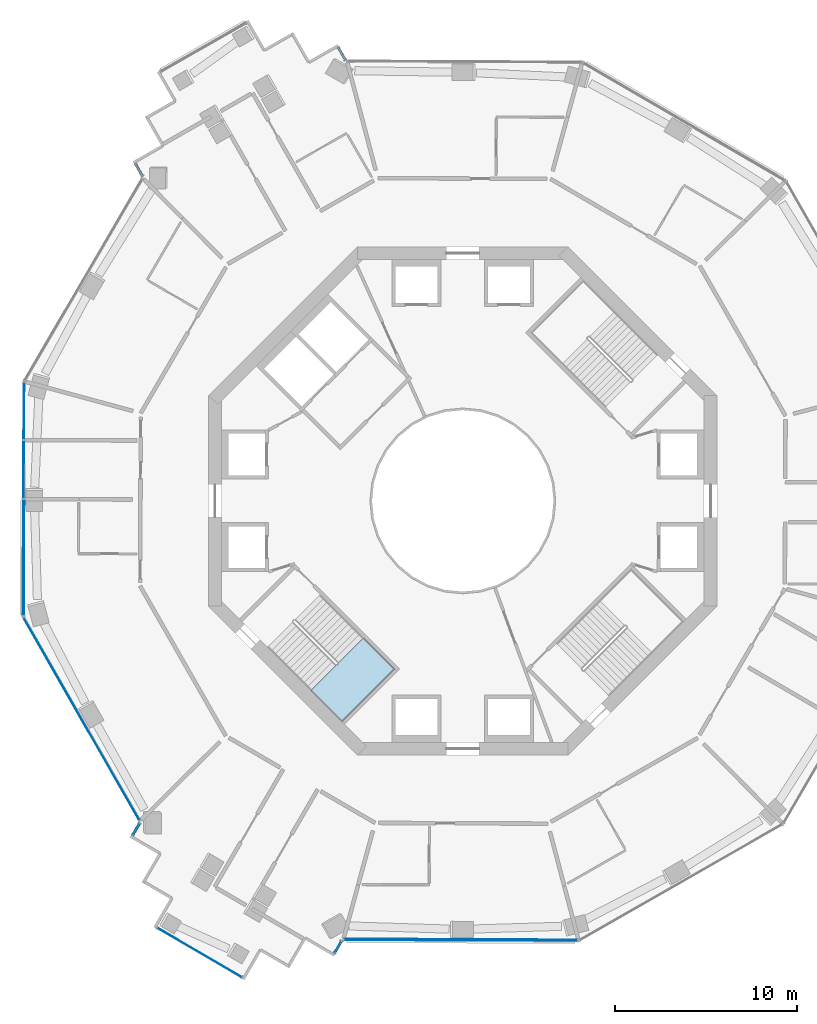
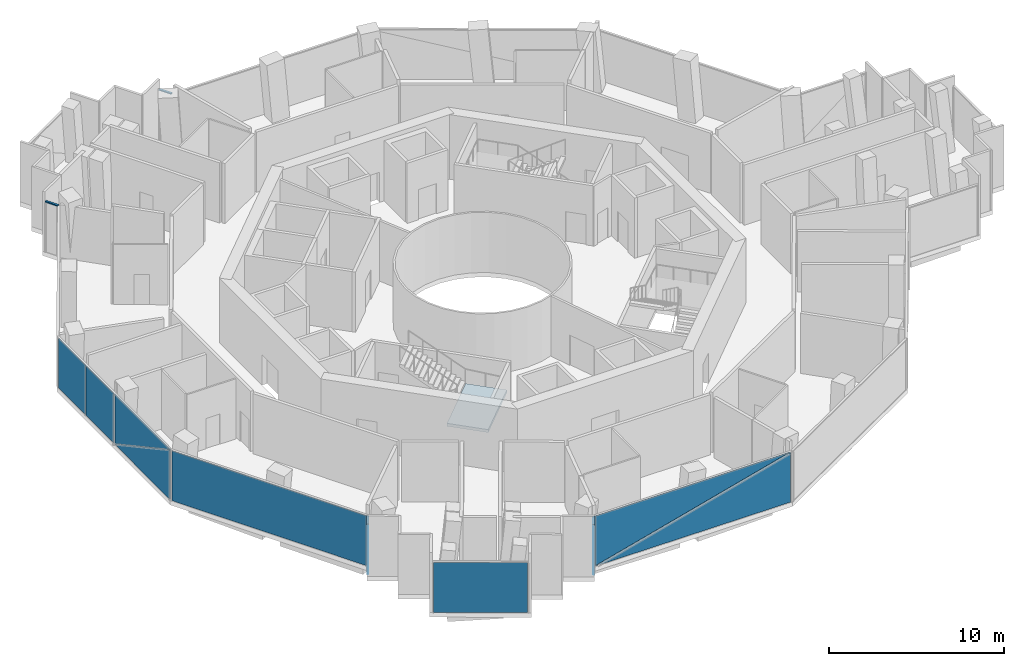
# One storey, part 7 of 16: 10 plates, 4 members, 1 slab, 9 elements without a shape of their own.
"""IFC4 building model written with IfcOpenShell, lengths in metres."""

from ifc_helpers import new_model, si_unit, direction, frame, origin, origin_2d, place, context, subcontext, project, spatial, polyline, rectangle, outline, extrude, material, layer, layer_set, material_profile, profile_set, type_object, element, aggregate, save


model = new_model("IFC4")

# Units and contexts
model_context = context("Model", 3, precision=1e-05, world=origin(), true_north=direction((0.0, 1.0)))
body_context = subcontext(model_context, "Body", "Model", "MODEL_VIEW")
ifc_project = project(units=[si_unit("LENGTHUNIT", "METRE"), si_unit("AREAUNIT", "SQUARE_METRE"), si_unit("VOLUMEUNIT", "CUBIC_METRE"), si_unit("PLANEANGLEUNIT", "RADIAN"), si_unit("MASSUNIT", "GRAM", prefix="KILO")], contexts=[model_context])

# Site, building, storey
site_placement = place(None, origin())
site = spatial("IfcSite", under=ifc_project, at=site_placement, CompositionType="ELEMENT")
building_placement = place(site_placement, origin())
building = spatial("IfcBuilding", under=site, at=building_placement, Name="Verdalira Terraces Hotel", CompositionType="ELEMENT")
storey_placement = place(building_placement, frame((0.0, 0.0, 154.0)))
storey = spatial("IfcBuildingStorey", under=building, at=storey_placement, Name="L37", CompositionType="ELEMENT", Elevation=154.0)

# Curtain wall, member
ifc_material_1 = material(Name="Clear glass", Category="glass")
ifc_layer_1 = layer(ifc_material_1, 0.179931640625)
ifc_layer_set_1 = layer_set([ifc_layer_1], Name="CW4 curtain wall")
curtain_wall_type = type_object("IfcCurtainWallType", Name="CW4 curtain wall", PredefinedType="NOTDEFINED", material=ifc_layer_set_1)
curtain_wall_1_placement = place(storey_placement, origin())
curtain_wall_1 = element("IfcCurtainWall", 1, at=curtain_wall_1_placement, inside=storey, type_object=curtain_wall_type, Name="CW4 curtain wall L37 edge 0", PredefinedType="NOTDEFINED")
ifc_material_2 = material(Name="Terracotta frame", Category="masonry")
ifc_material_profile = material_profile(ifc_material_2, rectangle(XDim=0.139893, YDim=0.070068, at=origin_2d()), Name="TR 70x140")
ifc_profile_set = profile_set([ifc_material_profile], Name="Terracotta frame")
member_type = type_object("IfcMemberType", Name="CW4 transom 70x140", PredefinedType="USERDEFINED", material=ifc_profile_set)
member_1_placement = place(storey_placement, frame((-6.458984, 24.270508, 3.504883), z_axis=(-0.496359938, 0.868116819, 0.0), x_axis=(-0.868116819, -0.496359938, 0.0)))
member_1 = element("IfcMember", 2, at=member_1_placement, type_object=member_type, Name="CW4 transom", ObjectType="TRANSOM", PredefinedType="USERDEFINED", context=body_context, shape_type="SweptSolid", body=[
    extrude(rectangle(XDim=0.139893, YDim=0.070068, at=origin_2d()), origin(), (0.0, 0.0, 1.0), 0.832764),
])
aggregate(curtain_wall_1, [member_1])

curtain_wall_2_placement = place(storey_placement, origin())
curtain_wall_2 = element("IfcCurtainWall", 3, at=curtain_wall_2_placement, inside=storey, type_object=curtain_wall_type, Name="CW4 curtain wall L37 edge 10", PredefinedType="NOTDEFINED")
member_2_placement = place(storey_placement, frame((-18.053711, 18.600342, 3.504883), z_axis=(0.496359938, -0.868116819, 0.0), x_axis=(0.868116819, 0.496359938, 0.0)))
member_2 = element("IfcMember", 4, at=member_2_placement, type_object=member_type, Name="CW4 transom", ObjectType="TRANSOM", PredefinedType="USERDEFINED", context=body_context, shape_type="SweptSolid", body=[
    extrude(rectangle(XDim=0.139893, YDim=0.070068, at=origin_2d()), origin(), (0.0, 0.0, 1.0), 0.832764),
])
aggregate(curtain_wall_2, [member_2])

curtain_wall_3_placement = place(storey_placement, origin())
curtain_wall_3 = element("IfcCurtainWall", 5, at=curtain_wall_3_placement, inside=storey, type_object=curtain_wall_type, Name="CW4 curtain wall L37 edge 14", PredefinedType="NOTDEFINED")
member_3_placement = place(storey_placement, frame((-17.789551, -17.729004, 3.504883), z_axis=(-0.503542771, -0.863970299, 0.0), x_axis=(0.863970299, -0.503542771, 0.0)))
member_3 = element("IfcMember", 6, at=member_3_placement, type_object=member_type, Name="CW4 transom", ObjectType="TRANSOM", PredefinedType="USERDEFINED", context=body_context, shape_type="SweptSolid", body=[
    extrude(rectangle(XDim=0.139893, YDim=0.070068, at=origin_2d()), origin(), (0.0, 0.0, 1.0), 0.83252),
])

curtain_wall_4_placement = place(storey_placement, origin())
curtain_wall_4 = element("IfcCurtainWall", 7, at=curtain_wall_4_placement, inside=storey, type_object=curtain_wall_type, Name="CW4 curtain wall L37 edge 24", PredefinedType="NOTDEFINED")
member_4_placement = place(storey_placement, frame((-7.081543, -24.935059, 3.504883), z_axis=(0.503634055, 0.86391709, 0.0), x_axis=(-0.86391709, 0.503634055, 0.0)))
member_4 = element("IfcMember", 8, at=member_4_placement, type_object=member_type, Name="CW4 transom", ObjectType="TRANSOM", PredefinedType="USERDEFINED", context=body_context, shape_type="SweptSolid", body=[
    extrude(rectangle(XDim=0.139893, YDim=0.070068, at=origin_2d()), origin(), (0.0, 0.0, 1.0), 0.832764),
])

# Curtain wall, plates
curtain_wall_5_placement = place(storey_placement, origin())
curtain_wall_5 = element("IfcCurtainWall", 9, at=curtain_wall_5_placement, inside=storey, type_object=curtain_wall_type, Name="CW4 curtain wall L37 edge 12", PredefinedType="NOTDEFINED")
ifc_material_3 = material(Name="Clear glass", Category="glass")
ifc_layer_2 = layer(ifc_material_3, 0.035888671875)
ifc_layer_set_2 = layer_set([ifc_layer_2], Name="CW4 glass unit 36")
plate_type = type_object("IfcPlateType", Name="CW4 glass unit 36", PredefinedType="CURTAIN_PANEL", material=ifc_layer_set_2)
plate_1_placement = place(storey_placement, frame((-24.177734, 4.939941, 0.0), z_axis=(0.0, 0.0, 1.0), x_axis=(-0.004188778, -0.999991227, 0.0)))
plate_1 = element("IfcPlate", 10, at=plate_1_placement, type_object=plate_type, Name="CW4 glass unit", PredefinedType="CURTAIN_PANEL", context=body_context, shape_type="SweptSolid", body=[
    extrude(rectangle(XDim=3.112305, YDim=0.035889, at=origin_2d()), origin(), (0.0, 0.0, 1.0), 3.469971),
])
plate_2_placement = place(storey_placement, frame((-24.191406, 1.726318, 0.0), z_axis=(0.0, 0.0, 1.0), x_axis=(-0.004188778, -0.999991227, 0.0)))
plate_2 = element("IfcPlate", 11, at=plate_2_placement, type_object=plate_type, Name="CW4 glass unit", PredefinedType="CURTAIN_PANEL", context=body_context, shape_type="SweptSolid", body=[
    extrude(rectangle(XDim=3.185059, YDim=0.035889, at=origin_2d()), origin(), (0.0, 0.0, 1.0), 3.469971),
])
plate_3_placement = place(storey_placement, frame((-24.193848, -3.112305, 1.735107), z_axis=(-0.999991227, 0.004188778, 0.0), x_axis=(-0.004188778, -0.999991227, 0.0)))
plate_3 = element("IfcPlate", 12, at=plate_3_placement, type_object=plate_type, Name="CW4 glass unit", PredefinedType="CURTAIN_PANEL", context=body_context, shape_type="SweptSolid", body=[
    extrude(outline(polyline([(-3.181152, -1.734863), (3.181152, -1.734863), (3.181152, 1.734863), (-3.181152, -1.734863)])), origin(), (0.0, 0.0, 1.0), 0.035889),
])
plate_4_placement = place(storey_placement, frame((-24.156738, -3.112549, 1.735107), z_axis=(-0.999991227, 0.004188778, 0.0), x_axis=(-0.004188778, -0.999991227, 0.0)))
plate_4 = element("IfcPlate", 13, at=plate_4_placement, type_object=plate_type, Name="CW4 glass unit", PredefinedType="CURTAIN_PANEL", context=body_context, shape_type="SweptSolid", body=[
    extrude(outline(polyline([(-3.181152, -1.734863), (3.181152, 1.734863), (-3.181152, 1.734863), (-3.181152, -1.734863)])), origin(), (0.0, 0.0, 1.0), 0.035889),
])
aggregate(curtain_wall_5, [plate_1, plate_2, plate_3, plate_4])

# Curtain wall, plate
curtain_wall_6_placement = place(storey_placement, origin())
curtain_wall_6 = element("IfcCurtainWall", 14, at=curtain_wall_6_placement, inside=storey, type_object=curtain_wall_type, Name="CW4 curtain wall L37 edge 13", PredefinedType="NOTDEFINED")
plate_5_placement = place(storey_placement, frame((-21.001221, -12.02124, 0.0), z_axis=(0.0, 0.0, 1.0), x_axis=(0.496368025, -0.868112195, 0.0)))
plate_5 = element("IfcPlate", 15, at=plate_5_placement, type_object=plate_type, Name="CW4 glass unit", PredefinedType="CURTAIN_PANEL", context=body_context, shape_type="SweptSolid", body=[
    extrude(rectangle(XDim=12.8125, YDim=0.035889, at=origin_2d()), origin(), (0.0, 0.0, 1.0), 3.469971),
])
aggregate(curtain_wall_6, [plate_5])

# Plate
plate_6_placement = place(storey_placement, frame((-17.999023, -18.088623, 0.0), z_axis=(0.0, 0.0, 1.0), x_axis=(-0.503623202, -0.863923417, 0.0)))
plate_6 = element("IfcPlate", 16, at=plate_6_placement, type_object=plate_type, Name="CW4 glass unit", PredefinedType="CURTAIN_PANEL", context=body_context, shape_type="SweptSolid", body=[
    extrude(rectangle(XDim=0.702637, YDim=0.035889, at=origin_2d()), origin(), (0.0, 0.0, 1.0), 3.469971),
])

aggregate(curtain_wall_3, [member_3, plate_6])

# Curtain wall, plate
curtain_wall_7_placement = place(storey_placement, origin())
curtain_wall_7 = element("IfcCurtainWall", 17, at=curtain_wall_7_placement, inside=storey, type_object=curtain_wall_type, Name="CW4 curtain wall L37 edge 19", PredefinedType="NOTDEFINED")
plate_7_placement = place(storey_placement, frame((-14.503418, -24.879639, 0.0), z_axis=(0.0, 0.0, 1.0), x_axis=(0.863923417, -0.503623202, 0.0)))
plate_7 = element("IfcPlate", 18, at=plate_7_placement, type_object=plate_type, Name="CW4 glass unit", PredefinedType="CURTAIN_PANEL", context=body_context, shape_type="SweptSolid", body=[
    extrude(rectangle(XDim=5.370117, YDim=0.035889, at=origin_2d()), origin(), (0.0, 0.0, 1.0), 3.469971),
])
aggregate(curtain_wall_7, [plate_7])

# Plate
plate_8_placement = place(storey_placement, frame((-6.871826, -24.575439, 0.0), z_axis=(0.0, 0.0, 1.0), x_axis=(0.503623202, 0.863923417, 0.0)))
plate_8 = element("IfcPlate", 19, at=plate_8_placement, type_object=plate_type, Name="CW4 glass unit", PredefinedType="CURTAIN_PANEL", context=body_context, shape_type="SweptSolid", body=[
    extrude(rectangle(XDim=0.702637, YDim=0.035889, at=origin_2d()), origin(), (0.0, 0.0, 1.0), 3.469971),
])

aggregate(curtain_wall_4, [member_4, plate_8])

# Curtain wall, plates
curtain_wall_8_placement = place(storey_placement, origin())
curtain_wall_8 = element("IfcCurtainWall", 20, at=curtain_wall_8_placement, inside=storey, type_object=curtain_wall_type, Name="CW4 curtain wall L37 edge 25", PredefinedType="NOTDEFINED")
plate_9_placement = place(storey_placement, frame((-0.112793, -24.180176, 1.735107), z_axis=(-0.004188778, -0.999991227, 0.0), x_axis=(0.999991227, -0.004188778, 0.0)))
plate_9 = element("IfcPlate", 21, at=plate_9_placement, type_object=plate_type, Name="CW4 glass unit", PredefinedType="CURTAIN_PANEL", context=body_context, shape_type="SweptSolid", body=[
    extrude(outline(polyline([(-6.40625, -1.734863), (6.40625, -1.734863), (6.40625, 1.734863), (-6.40625, -1.734863)])), origin(), (0.0, 0.0, 1.0), 0.035889),
])
plate_10_placement = place(storey_placement, frame((-0.112549, -24.143066, 1.735107), z_axis=(-0.004188778, -0.999991227, 0.0), x_axis=(0.999991227, -0.004188778, 0.0)))
plate_10 = element("IfcPlate", 22, at=plate_10_placement, type_object=plate_type, Name="CW4 glass unit", PredefinedType="CURTAIN_PANEL", context=body_context, shape_type="SweptSolid", body=[
    extrude(outline(polyline([(-6.40625, -1.734863), (6.40625, 1.734863), (-6.40625, 1.734863), (-6.40625, -1.734863)])), origin(), (0.0, 0.0, 1.0), 0.035889),
])
aggregate(curtain_wall_8, [plate_9, plate_10])

# Stair, slab
ifc_material_4 = material(Name="Concrete C40", Category="concrete")
stair_type = type_object("IfcStairType", Name="Core stair 26 risers 2000 mm wide", PredefinedType="HALF_TURN_STAIR", material=ifc_material_4)
stair_placement = place(storey_placement, origin())
stair = element("IfcStair", 23, at=stair_placement, inside=storey, type_object=stair_type, Name="L37 Exit stair ST2", PredefinedType="HALF_TURN_STAIR")
ifc_material_5 = material(Name="Concrete C40", Category="concrete")
ifc_layer_3 = layer(ifc_material_5, 0.199951171875)
ifc_layer_set_3 = layer_set([ifc_layer_3], Name="Core stair landing 200 mm")
slab_type = type_object("IfcSlabType", Name="Core stair landing 200 mm", PredefinedType="LANDING", material=ifc_layer_set_3)
slab_placement = place(storey_placement, frame((0.0, 0.0, 2.050049)))
slab = element("IfcSlab", 24, at=slab_placement, type_object=slab_type, Name="ST2 landing 1", PredefinedType="LANDING", context=body_context, shape_type="SweptSolid", body=[
    extrude(outline(polyline([(-8.372559, -10.436523), (-6.646729, -12.162354), (-3.747559, -9.263184), (-5.473389, -7.537354), (-8.372559, -10.436523)])), origin(), (0.0, 0.0, 1.0), 0.199951),
])
aggregate(stair, [slab])

save(model, "model.ifc")
